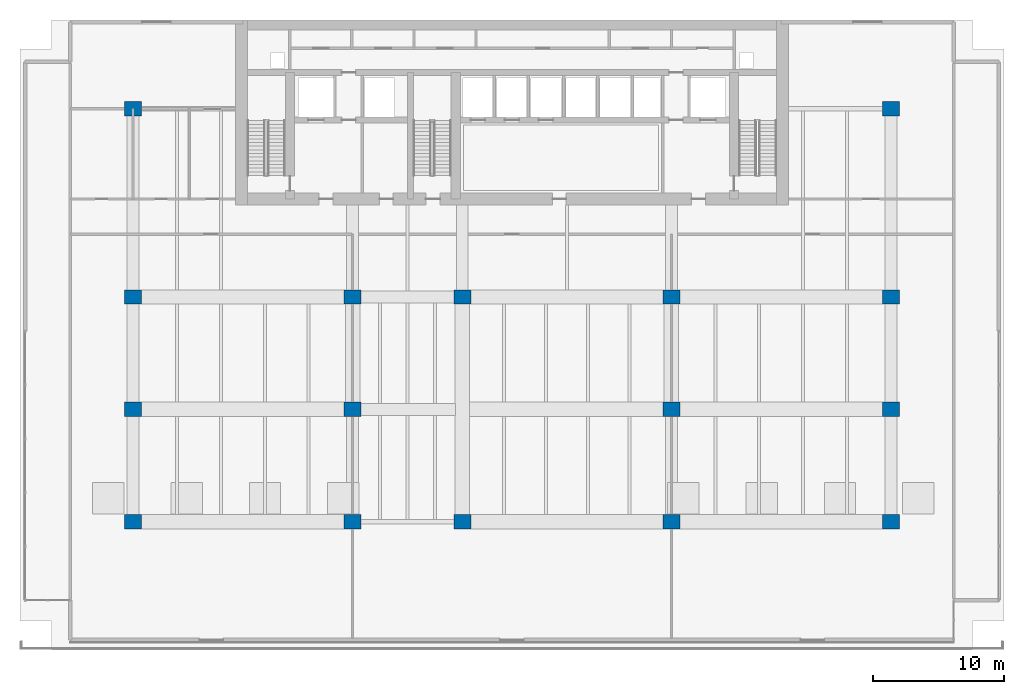
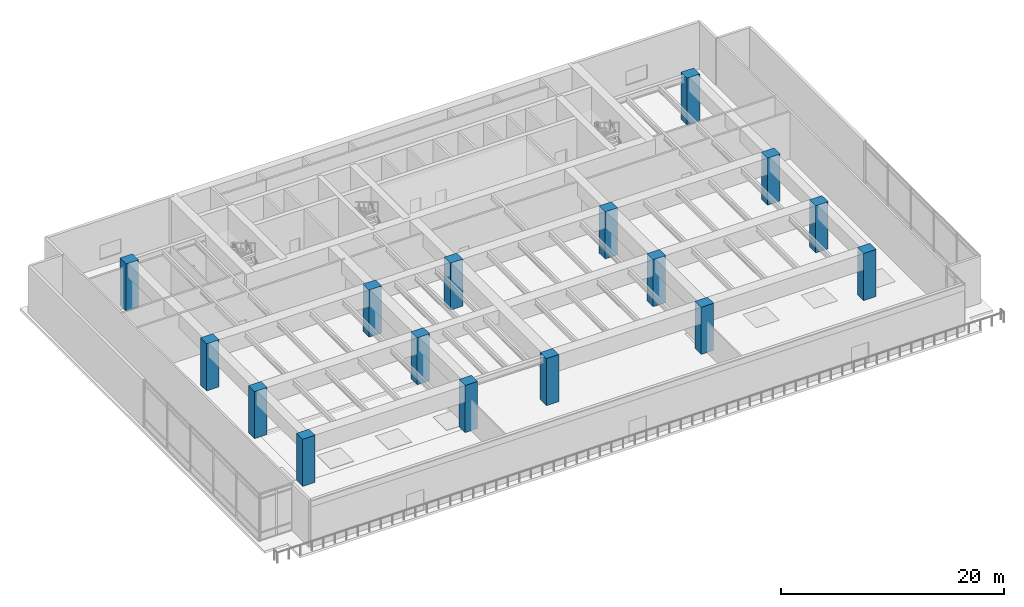
# One storey, part 1 of 12: 16 columns.
"""IFC4 building model written with IfcOpenShell, lengths in metres."""

from ifc_helpers import new_model, si_unit, direction, frame, origin, origin_2d, place, context, subcontext, project, spatial, rectangle, extrude, material, material_profile, profile_set, type_object, element, save


model = new_model("IFC4")

# Units and contexts
model_context = context("Model", 3, precision=1e-05, world=origin(), true_north=direction((0.0, 1.0)))
body_context = subcontext(model_context, "Body", "Model", "MODEL_VIEW")
ifc_project = project(units=[si_unit("LENGTHUNIT", "METRE"), si_unit("AREAUNIT", "SQUARE_METRE"), si_unit("VOLUMEUNIT", "CUBIC_METRE"), si_unit("PLANEANGLEUNIT", "RADIAN"), si_unit("MASSUNIT", "GRAM", prefix="KILO")], contexts=[model_context])

# Site, building, storey
site_placement = place(None, origin())
site = spatial("IfcSite", under=ifc_project, at=site_placement, CompositionType="ELEMENT")
building_placement = place(site_placement, origin())
building = spatial("IfcBuilding", under=site, at=building_placement, Name="Caelmar Bay Residences", CompositionType="ELEMENT")
storey_placement = place(building_placement, frame((0.0, 0.0, 24.60009765625)))
storey = spatial("IfcBuildingStorey", under=building, at=storey_placement, Name="L05", CompositionType="ELEMENT", Elevation=24.60009765625)

# Columns
ifc_material = material(Name="Concrete f'c 70 MPa (10,000 psi)", Category="concrete")
ifc_material_profile = material_profile(ifc_material, rectangle(XDim=1.300048828125, YDim=1.10009765625, at=origin_2d()), Name="RC-COL-1300X1100")
ifc_profile_set = profile_set([ifc_material_profile], Name="Concrete f'c 70 MPa (10,000 psi)")
column_type = type_object("IfcColumnType", Name="COL-RC-1300X1100", PredefinedType="COLUMN", material=ifc_profile_set)
for number, where, z_axis, x_axis, name in (
    (1, (9.89990234375, 12.199951171875, 0.0), (0.0, 0.0, 1.0), (1.0, 0.0, 0.0), "L05 Column (9.90,12.20)"),
    (2, (26.699951171875, 12.199951171875, 0.0), (0.0, 0.0, 1.0), (1.0, 0.0, 0.0), "L05 Column (26.70,12.20)"),
    (3, (35.10009765625, 12.199951171875, 0.0), (0.0, 0.0, 1.0), (1.0, 0.0, 0.0), "L05 Column (35.10,12.20)"),
    (4, (51.10009765625, 12.199951171875, 0.0), (0.0, 0.0, 1.0), (1.0, 0.0, 0.0), "L05 Column (51.10,12.20)"),
    (5, (67.89990234375, 12.199951171875, 0.0), (0.0, 0.0, 1.0), (1.0, 0.0, 0.0), "L05 Column (67.90,12.20)"),
    (6, (9.89990234375, 20.800048828125, 0.0), (0.0, 0.0, 1.0), (1.0, 0.0, 0.0), "L05 Column (9.90,20.80)"),
    (7, (26.699951171875, 20.800048828125, 0.0), (0.0, 0.0, 1.0), (1.0, 0.0, 0.0), "L05 Column (26.70,20.80)"),
    (8, (51.10009765625, 20.800048828125, 0.0), (0.0, 0.0, 1.0), (1.0, 0.0, 0.0), "L05 Column (51.10,20.80)"),
    (9, (67.89990234375, 20.800048828125, 0.0), (0.0, 0.0, 1.0), (1.0, 0.0, 0.0), "L05 Column (67.90,20.80)"),
    (10, (9.89990234375, 29.39990234375, 0.0), (0.0, 0.0, 1.0), (1.0, 0.0, 0.0), "L05 Column (9.90,29.40)"),
    (11, (26.699951171875, 29.39990234375, 0.0), (0.0, 0.0, 1.0), (1.0, 0.0, 0.0), "L05 Column (26.70,29.40)"),
    (12, (35.10009765625, 29.39990234375, 0.0), (0.0, 0.0, 1.0), (1.0, 0.0, 0.0), "L05 Column (35.10,29.40)"),
    (13, (51.10009765625, 29.39990234375, 0.0), (0.0, 0.0, 1.0), (1.0, 0.0, 0.0), "L05 Column (51.10,29.40)"),
    (14, (67.89990234375, 29.39990234375, 0.0), (0.0, 0.0, 1.0), (1.0, 0.0, 0.0), "L05 Column (67.90,29.40)"),
    (15, (9.89990234375, 43.800048828125, 0.0), (0.0, 0.0, 1.0), (1.0, 0.0, 0.0), "L05 Column (9.90,43.80)"),
    (16, (67.89990234375, 43.800048828125, 0.0), (0.0, 0.0, 1.0), (1.0, 0.0, 0.0), "L05 Column (67.90,43.80)"),
):
    element("IfcColumn", number, at=place(storey_placement, frame(where, z_axis=z_axis, x_axis=x_axis)), inside=storey, type_object=column_type, Name=name, PredefinedType="COLUMN", context=body_context, shape_type="SweptSolid", body=[
        extrude(rectangle(XDim=1.300048828125, YDim=1.10009765625, at=origin_2d()), origin(), (0.0, 0.0, 1.0), 5.14990234375),
    ])

save(model, "model.ifc")
